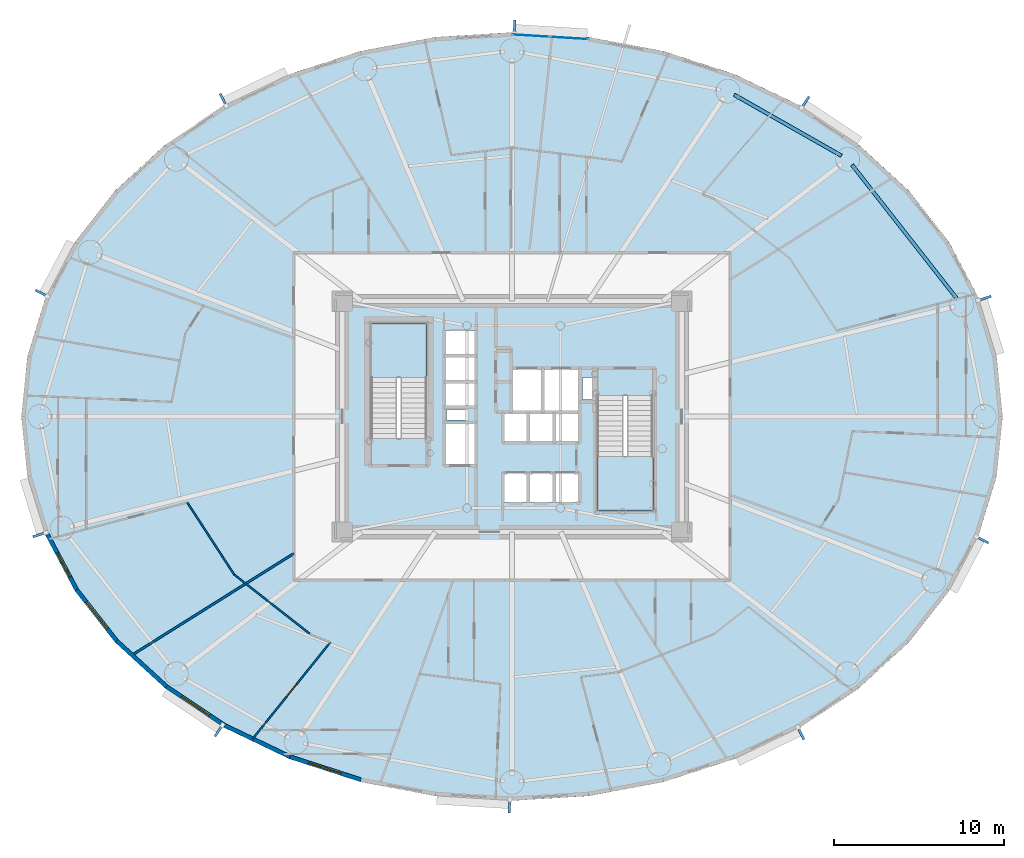
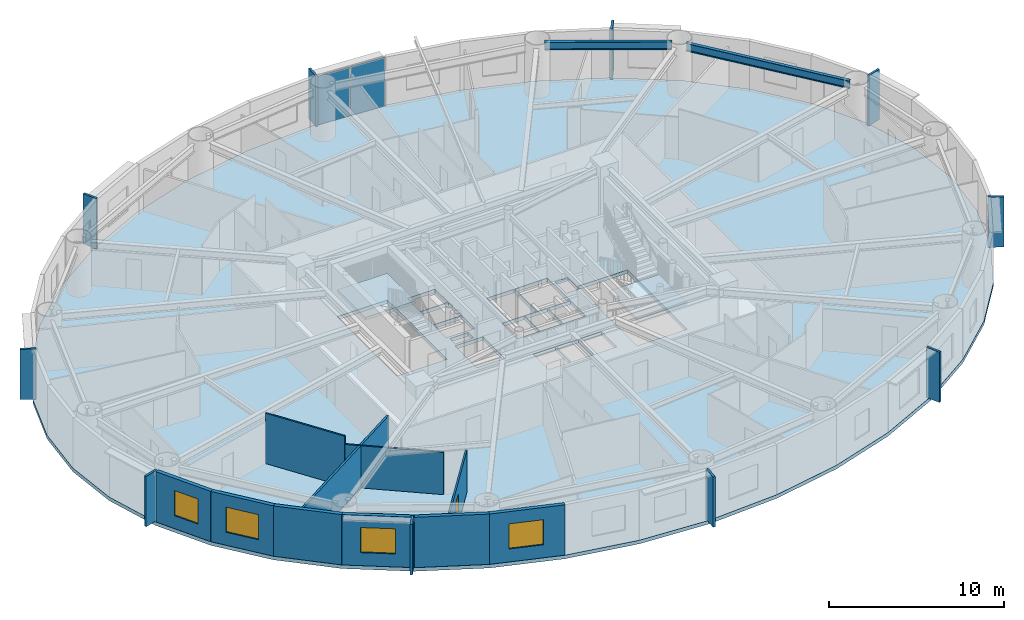
# One storey, part 7 of 18: 12 plates, 10 walls, 4 windows, 3 slabs, 2 beams, 1 door, 5 openings, 3 elements without a shape of their own.
"""IFC4 building model written with IfcOpenShell, lengths in metres."""

from ifc_helpers import new_model, si_unit, direction, frame, frame_2d, origin, origin_2d, place, context, subcontext, project, spatial, polyline, rectangle, i_section, outline, extrude, source, transform, mapped, material, layer, layer_set, material_profile, profile_set, type_object, element, fill, aggregate, save


model = new_model("IFC4")

# Units and contexts
model_context = context("Model", 3, precision=1e-05, world=origin(), true_north=direction((0.0, 1.0)))
body_context = subcontext(model_context, "Body", "Model", "MODEL_VIEW")
ifc_project = project(units=[si_unit("LENGTHUNIT", "METRE"), si_unit("AREAUNIT", "SQUARE_METRE"), si_unit("VOLUMEUNIT", "CUBIC_METRE"), si_unit("PLANEANGLEUNIT", "RADIAN"), si_unit("MASSUNIT", "GRAM", prefix="KILO")], contexts=[model_context])

# Site, building, storey
site_placement = place(None, origin())
site = spatial("IfcSite", under=ifc_project, at=site_placement, CompositionType="ELEMENT")
building_placement = place(site_placement, origin())
building = spatial("IfcBuilding", under=site, at=building_placement, Name="Linh Dai School and Residence Tower", CompositionType="ELEMENT")
storey_placement = place(building_placement, frame((0.0, 0.0, 123.449951171875)))
storey = spatial("IfcBuildingStorey", under=building, at=storey_placement, Name="L29", CompositionType="ELEMENT", Elevation=123.449951171875)

# Beams
ifc_material_1 = material(Name="Structural Steel S355JR", Category="steel")
ifc_material_profile = material_profile(ifc_material_1, i_section(OverallWidth=0.2099609375, OverallDepth=0.550048828125, WebThickness=0.010986328125, FlangeThickness=0.01708984375, FilletRadius=0.02392578125, at=origin_2d()), Name="IPE 550")
ifc_profile_set = profile_set([ifc_material_profile], Name="Structural Steel S355JR")
beam_type = type_object("IfcBeamType", Name="BM-RB55", PredefinedType="BEAM", material=ifc_profile_set)
beam_1_placement = place(storey_placement, frame((62.233642578125, 33.91162109375, 3.22509765625), z_axis=(-0.616854830973, 0.787076945098, 0.0), x_axis=(-0.787076945098, -0.616854830973, 0.0)))
element("IfcBeam", 1, at=beam_1_placement, inside=storey, type_object=beam_type, Name="L29 Perimeter Elliptical Ring Beam 02", PredefinedType="BEAM", context=body_context, shape_type="SweptSolid", body=[
    extrude(i_section(OverallWidth=0.2099609375, OverallDepth=0.550048828125, WebThickness=0.010986328125, FlangeThickness=0.01708984375, FilletRadius=0.02392578125, at=origin_2d()), origin(), (0.0, 0.0, 1.0), 10.053955078125),
])
beam_2_placement = place(storey_placement, frame((55.407470703125, 42.363037109375, 3.22509765625), z_axis=(-0.86927031475, 0.494337050902, 0.0), x_axis=(-0.494337050902, -0.86927031475, 0.0)))
element("IfcBeam", 2, at=beam_2_placement, inside=storey, type_object=beam_type, Name="L29 Perimeter Elliptical Ring Beam 03", PredefinedType="BEAM", context=body_context, shape_type="SweptSolid", body=[
    extrude(i_section(OverallWidth=0.2099609375, OverallDepth=0.550048828125, WebThickness=0.010986328125, FlangeThickness=0.01708984375, FilletRadius=0.02392578125, at=origin_2d()), origin(), (0.0, 0.0, 1.0), 7.270751953125),
])

# Slab
ifc_material_2 = material(Name="Concrete B45 (C35/45)", Category="concrete")
ifc_layer_1 = layer(ifc_material_2, 0.25)
ifc_layer_set_1 = layer_set([ifc_layer_1], Name="Concrete B45 (C35/45)")
slab_type_1 = type_object("IfcSlabType", Name="SLB-FLR250", PredefinedType="FLOOR", material=ifc_layer_set_1)
slab_1_placement = place(storey_placement, frame((0.0, 0.0, -0.25)))
element("IfcSlab", 3, at=slab_1_placement, inside=storey, type_object=slab_type_1, Name="L29 Composite Structural Floor Slab", PredefinedType="FLOOR", context=body_context, shape_type="SweptSolid", body=[
    extrude(outline(polyline([(64.89990234375, 27.0), (64.544189453125, 30.5400390625), (63.485595703125, 33.9931640625), (61.75, 37.27392578125), (59.380615234375, 40.301513671875), (56.435302734375, 43.001708984375), (52.987060546875, 45.30810546875), (49.120361328125, 47.16357421875), (44.9306640625, 48.5224609375), (40.52099609375, 49.351318359375), (36.0, 49.6298828125), (31.47900390625, 49.351318359375), (27.0693359375, 48.5224609375), (22.879638671875, 47.16357421875), (19.012939453125, 45.30810546875), (15.564697265625, 43.001708984375), (12.619384765625, 40.301513671875), (10.25, 37.27392578125), (8.514404296875, 33.9931640625), (7.455810546875, 30.5400390625), (7.10009765625, 27.0), (7.455810546875, 23.4599609375), (8.514404296875, 20.0068359375), (10.25, 16.72607421875), (12.619384765625, 13.698486328125), (15.564697265625, 10.998291015625), (19.012939453125, 8.69189453125), (22.879638671875, 6.83642578125), (27.0693359375, 5.4775390625), (31.47900390625, 4.648681640625), (36.0, 4.3701171875), (40.52099609375, 4.648681640625), (44.9306640625, 5.4775390625), (49.120361328125, 6.83642578125), (52.987060546875, 8.69189453125), (56.435302734375, 10.998291015625), (59.380615234375, 13.698486328125), (61.75, 16.72607421875), (63.485595703125, 20.0068359375), (64.544189453125, 23.4599609375), (64.89990234375, 27.0)]), holes=[polyline([(30.97998046875, 25.699951171875), (30.97998046875, 32.5), (27.679931640625, 32.5), (27.679931640625, 25.699951171875), (30.97998046875, 25.699951171875)]), polyline([(41.02001953125, 28.25), (41.02001953125, 21.449951171875), (44.320068359375, 21.449951171875), (44.320068359375, 28.25), (41.02001953125, 28.25)]), polyline([(35.97998046875, 27.280029296875), (37.77001953125, 27.280029296875), (37.77001953125, 29.820068359375), (35.97998046875, 29.820068359375), (35.97998046875, 27.280029296875)]), polyline([(32.030029296875, 24.1298828125), (33.8701171875, 24.1298828125), (33.8701171875, 26.6201171875), (32.030029296875, 26.6201171875), (32.030029296875, 24.1298828125)]), polyline([(37.830078125, 27.280029296875), (39.969970703125, 27.280029296875), (39.969970703125, 29.820068359375), (37.830078125, 29.820068359375), (37.830078125, 27.280029296875)]), polyline([(35.47998046875, 21.929931640625), (36.929931640625, 21.929931640625), (36.929931640625, 23.669921875), (35.47998046875, 23.669921875), (35.47998046875, 21.929931640625)]), polyline([(36.989990234375, 21.929931640625), (38.449951171875, 21.929931640625), (38.449951171875, 23.669921875), (36.989990234375, 23.669921875), (36.989990234375, 21.929931640625)]), polyline([(38.510009765625, 21.929931640625), (39.969970703125, 21.929931640625), (39.969970703125, 23.669921875), (38.510009765625, 23.669921875), (38.510009765625, 21.929931640625)]), polyline([(32.030029296875, 27.580078125), (33.8701171875, 27.580078125), (33.8701171875, 29.030029296875), (32.030029296875, 29.030029296875), (32.030029296875, 27.580078125)]), polyline([(32.030029296875, 29.090087890625), (33.8701171875, 29.090087890625), (33.8701171875, 30.550048828125), (32.030029296875, 30.550048828125), (32.030029296875, 29.090087890625)]), polyline([(32.030029296875, 30.610107421875), (33.8701171875, 30.610107421875), (33.8701171875, 32.070068359375), (32.030029296875, 32.070068359375), (32.030029296875, 30.610107421875)]), polyline([(35.47998046875, 25.47998046875), (36.929931640625, 25.47998046875), (36.929931640625, 27.219970703125), (35.47998046875, 27.219970703125), (35.47998046875, 25.47998046875)]), polyline([(36.989990234375, 25.47998046875), (38.449951171875, 25.47998046875), (38.449951171875, 27.219970703125), (36.989990234375, 27.219970703125), (36.989990234375, 25.47998046875)]), polyline([(38.510009765625, 25.47998046875), (39.969970703125, 25.47998046875), (39.969970703125, 27.219970703125), (38.510009765625, 27.219970703125), (38.510009765625, 25.47998046875)]), polyline([(40.14990234375, 28.0), (40.14990234375, 29.300048828125), (41.0, 29.300048828125), (41.0, 28.280029296875), (40.989990234375, 28.280029296875), (40.989990234375, 28.0), (40.14990234375, 28.0)]), polyline([(32.14990234375, 26.800048828125), (33.35009765625, 26.800048828125), (33.35009765625, 27.39990234375), (32.14990234375, 27.39990234375), (32.14990234375, 26.800048828125)])]), origin(), (0.0, 0.0, 1.0), 0.25),
])

# Stair, slab
stair_type = type_object("IfcStairType", Name="ST-DOG-1550-R1442", PredefinedType="HALF_TURN_STAIR", material=ifc_material_2)
stair_1_placement = place(storey_placement, origin())
stair_1 = element("IfcStair", 4, at=stair_1_placement, inside=storey, type_object=stair_type, Name="L29 Core Smokeproof Exit Stair ST1", PredefinedType="HALF_TURN_STAIR")
ifc_layer_2 = layer(ifc_material_2, 0.199951171875)
ifc_layer_set_2 = layer_set([ifc_layer_2], Name="Concrete B45 (C35/45)")
slab_type_2 = type_object("IfcSlabType", Name="SLB-ST-LANDING-200", PredefinedType="LANDING", material=ifc_layer_set_2)
slab_2_placement = place(storey_placement, frame((0.0, 0.0, 1.675048828125)))
slab_2 = element("IfcSlab", 5, at=slab_2_placement, type_object=slab_type_2, Name="ST1 landing 1", PredefinedType="LANDING", context=body_context, shape_type="SweptSolid", body=[
    extrude(outline(polyline([(30.97998046875, 29.300048828125), (30.97998046875, 32.5), (27.679931640625, 32.5), (27.679931640625, 29.300048828125), (30.97998046875, 29.300048828125)])), origin(), (0.0, 0.0, 1.0), 0.199951171875),
])
aggregate(stair_1, [slab_2])

stair_2_placement = place(storey_placement, origin())
stair_2 = element("IfcStair", 6, at=stair_2_placement, inside=storey, type_object=stair_type, Name="L29 Core Smokeproof Exit Stair ST2", PredefinedType="HALF_TURN_STAIR")
slab_3_placement = place(storey_placement, frame((0.0, 0.0, 1.675048828125)))
slab_3 = element("IfcSlab", 7, at=slab_3_placement, type_object=slab_type_2, Name="ST2 landing 1", PredefinedType="LANDING", context=body_context, shape_type="SweptSolid", body=[
    extrude(outline(polyline([(41.02001953125, 24.64990234375), (41.02001953125, 21.449951171875), (44.320068359375, 21.449951171875), (44.320068359375, 24.64990234375), (41.02001953125, 24.64990234375)])), origin(), (0.0, 0.0, 1.0), 0.199951171875),
])
aggregate(stair_2, [slab_3])

# Plates
ifc_material_3 = material(Name="Precast Concrete B45 (C35/45)", Category="concrete")
ifc_layer_3 = layer(ifc_material_3, 0.139892578125)
ifc_layer_set_3 = layer_set([ifc_layer_3], Name="Precast Concrete B45 (C35/45)")
plate_type_1 = type_object("IfcPlateType", Name="FIN-TC-900x140", PredefinedType="USERDEFINED", material=ifc_layer_set_3)
shared_shape_1 = source(origin(), body_context, "Body", "SweptSolid", [
    extrude(rectangle(XDim=0.89990234375, YDim=0.139892578125, at=origin_2d()), origin(), (0.0, 0.0, 1.0), 3.5),
])
for number, where, z_axis, x_axis, name in (
    (8, (63.79736328125, 33.95068359375, 0.0), (0.0, 0.0, 1.0), (0.956071511028, 0.293133528962, 0.0), "L29 Precast Terracotta Radial Fin 02"),
    (9, (53.2529296875, 45.473388671875, 0.0), (0.0, 0.0, 1.0), (0.555913198527, 0.831240347736, 0.0), "L29 Precast Terracotta Radial Fin 06"),
    (10, (36.14501953125, 49.90673828125, 0.0), (0.0, 0.0, 1.0), (0.061509255091, 0.998106513123, 0.0), "L29 Precast Terracotta Radial Fin 10"),
    (11, (19.005615234375, 45.620849609375, 0.0), (0.0, 0.0, 1.0), (-0.432617589064, 0.901577518371, 0.0), "L29 Precast Terracotta Radial Fin 14"),
    (12, (8.32373046875, 34.242919921875, 0.0), (0.0, 0.0, 1.0), (-0.883942180016, 0.467596217252, 0.0), "L29 Precast Terracotta Radial Fin 18"),
    (13, (8.20263671875, 20.04931640625, 0.0), (0.0, 0.0, 1.0), (-0.956071511028, -0.293133528962, 0.0), "L29 Precast Terracotta Radial Fin 22"),
    (14, (18.7470703125, 8.526611328125, 0.0), (0.0, 0.0, 1.0), (-0.555913198527, -0.831240347736, 0.0), "L29 Precast Terracotta Radial Fin 26"),
    (15, (35.85498046875, 4.09326171875, 0.0), (0.0, 0.0, 1.0), (-0.061509255091, -0.998106513123, 0.0), "L29 Precast Terracotta Radial Fin 30"),
    (16, (52.994384765625, 8.379150390625, 0.0), (0.0, 0.0, 1.0), (0.432617589064, -0.901577518371, 0.0), "L29 Precast Terracotta Radial Fin 34"),
    (17, (63.67626953125, 19.757080078125, 0.0), (0.0, 0.0, 1.0), (0.883942180016, -0.467596217252, 0.0), "L29 Precast Terracotta Radial Fin 38"),
):
    element("IfcPlate", number, at=place(storey_placement, frame(where, z_axis=z_axis, x_axis=x_axis)), inside=storey, type_object=plate_type_1, Name=name, ObjectType="RADIAL FIN", PredefinedType="USERDEFINED", context=body_context, shape_type="MappedRepresentation", body=[
        mapped(shared_shape_1, transform((0.0, 0.0, 0.0), x_axis=(1.0, 0.0, 0.0), y_axis=(0.0, 1.0, 0.0), z_axis=(0.0, 0.0, 1.0), scale=1.0)),
    ])

# Curtain wall, plates
ifc_material_4 = material(Name="Aluminium Anodised Curtain Wall", Category="aluminium")
ifc_layer_4 = layer(ifc_material_4, 0.14990234375)
ifc_layer_set_4 = layer_set([ifc_layer_4], Name="Aluminium Anodised Curtain Wall")
curtain_wall_type = type_object("IfcCurtainWallType", Name="CW-SYS-4", PredefinedType="USERDEFINED", material=ifc_layer_set_4)
curtain_wall_placement = place(storey_placement, origin())
curtain_wall = element("IfcCurtainWall", 18, at=curtain_wall_placement, inside=storey, type_object=curtain_wall_type, Name="L29 CW4 Curtain Wall 10", ObjectType="RIBBON CURTAIN WALL", PredefinedType="USERDEFINED")
ifc_material_5 = material(Name="Double Low-E Insulated Glazing", Category="glass")
ifc_layer_5 = layer(ifc_material_5, 0.02587890625)
ifc_layer_set_5 = layer_set([ifc_layer_5], Name="Double Low-E Insulated Glazing")
plate_type_2 = type_object("IfcPlateType", Name="CW-SYS-4-PAN", PredefinedType="CURTAIN_PANEL", material=ifc_layer_set_5)
shared_shape_2 = source(origin(), body_context, "Body", "SweptSolid", [
    extrude(rectangle(XDim=2.178955078125, YDim=0.02587890625, at=origin_2d()), origin(), (0.0, 0.0, 1.0), 3.39599609375),
])
plate_1_placement = place(storey_placement, frame((37.139404296875, 49.434814453125, 0.052001953125), z_axis=(0.0, 0.0, 1.0), x_axis=(0.998106513123, -0.061509255091, 0.0)))
plate_1 = element("IfcPlate", 19, at=plate_1_placement, type_object=plate_type_2, Name="CW4 panel 1.1", PredefinedType="CURTAIN_PANEL", context=body_context, shape_type="MappedRepresentation", body=[
    mapped(shared_shape_2, transform((0.0, 0.0, 0.0), x_axis=(1.0, 0.0, 0.0), y_axis=(0.0, 1.0, 0.0), z_axis=(0.0, 0.0, 1.0), scale=1.0)),
])
plate_2_placement = place(storey_placement, frame((39.3662109375, 49.297607421875, 0.052001953125), z_axis=(0.0, 0.0, 1.0), x_axis=(0.998106513123, -0.061509255091, 0.0)))
plate_2 = element("IfcPlate", 20, at=plate_2_placement, type_object=plate_type_2, Name="CW4 panel 2.1", PredefinedType="CURTAIN_PANEL", context=body_context, shape_type="MappedRepresentation", body=[
    mapped(shared_shape_2, transform((0.0, 0.0, 0.0), x_axis=(1.0, 0.0, 0.0), y_axis=(0.0, 1.0, 0.0), z_axis=(0.0, 0.0, 1.0), scale=1.0)),
])
aggregate(curtain_wall, [plate_1, plate_2])

# Wall, opening, window
ifc_layer_6 = layer(ifc_material_3, 0.239990234375)
ifc_layer_set_6 = layer_set([ifc_layer_6], Name="Precast Concrete B45 (C35/45)")
wall_type_1 = type_object("IfcWallType", Name="EW-TC-240", PredefinedType="SOLIDWALL", material=ifc_layer_set_6)
wall_1_placement = place(storey_placement, frame((10.354736328125, 16.79443359375, 0.0), z_axis=(0.0, 0.0, 1.0), x_axis=(-0.467614004126, 0.883932770716, 0.0)))
wall_1 = element("IfcWall", 21, at=wall_1_placement, inside=storey, type_object=wall_type_1, Name="L29 Terracotta Exterior Wall 23", PredefinedType="SOLIDWALL", context=body_context, shape_type="SweptSolid", body=[
    extrude(rectangle(XDim=3.688720703125, YDim=0.239990234375, at=frame_2d((1.84423828125, 0.0))), origin(), (0.0, 0.0, 1.0), 3.5),
])
opening_1_placement = place(wall_1_placement, frame((0.845947265625, 0.0, 0.89990234375)))
opening_1 = element("IfcOpeningElement", 22, at=opening_1_placement, cuts=wall_1, Name="Opening W2", PredefinedType="OPENING", context=body_context, shape_type="SweptSolid", body=[
    extrude(rectangle(XDim=1.60009765625, YDim=1.75, at=origin_2d()), frame((0.800048828125, 0.1298828125, 0.875), z_axis=(0.0, -1.0, 0.0), x_axis=(1.0, 0.0, 0.0)), (0.0, 0.0, 1.0), 0.260009765625),
])
window_type_1 = type_object("IfcWindowType", Name="WN-RES-1600x1750", PartitioningType="DOUBLE_PANEL_VERTICAL", PredefinedType="WINDOW", material=ifc_material_5)
shared_shape_3 = source(origin(), body_context, "Body", "SweptSolid", [
    extrude(rectangle(XDim=1.60009765625, YDim=1.75, at=origin_2d()), frame((0.800048828125, 0.030029296875, 0.875), z_axis=(0.0, -1.0, 0.0), x_axis=(1.0, 0.0, 0.0)), (0.0, 0.0, 1.0), 0.06005859375),
])
window_1_placement = place(opening_1_placement, origin())
window_1 = element("IfcWindow", 23, at=window_1_placement, inside=storey, type_object=window_type_1, Name="L29 Exterior Window 23.1", OverallHeight=1.75, OverallWidth=1.60009765625, PartitioningType="DOUBLE_PANEL_VERTICAL", PredefinedType="WINDOW", context=body_context, shape_type="MappedRepresentation", body=[
    mapped(shared_shape_3, transform((0.0, 0.0, 0.0), x_axis=(1.0, 0.0, 0.0), y_axis=(0.0, 1.0, 0.0), z_axis=(0.0, 0.0, 1.0), scale=1.0)),
])
fill(opening_1, window_1)

wall_2_placement = place(storey_placement, frame((12.7109375, 13.783447265625, 0.0), z_axis=(0.0, 0.0, 1.0), x_axis=(-0.616272103517, 0.787533297345, 0.0)))
wall_2 = element("IfcWall", 24, at=wall_2_placement, inside=storey, type_object=wall_type_1, Name="L29 Terracotta Exterior Wall 24", PredefinedType="SOLIDWALL", context=body_context, shape_type="SweptSolid", body=[
    extrude(rectangle(XDim=3.8232421875, YDim=0.239990234375, at=frame_2d((1.91162109375, 0.0))), origin(), (0.0, 0.0, 1.0), 3.5),
])
opening_2_placement = place(wall_2_placement, frame((0.91162109375, 0.0, 0.89990234375)))
opening_2 = element("IfcOpeningElement", 25, at=opening_2_placement, cuts=wall_2, Name="Opening W1", PredefinedType="OPENING", context=body_context, shape_type="SweptSolid", body=[
    extrude(rectangle(XDim=2.0, YDim=1.75, at=origin_2d()), frame((1.0, 0.1298828125, 0.875), z_axis=(0.0, -1.0, 0.0), x_axis=(1.0, 0.0, 0.0)), (0.0, 0.0, 1.0), 0.260009765625),
])
window_type_2 = type_object("IfcWindowType", Name="WN-RES-2000x1750", PartitioningType="DOUBLE_PANEL_VERTICAL", PredefinedType="WINDOW", material=ifc_material_5)
shared_shape_4 = source(origin(), body_context, "Body", "SweptSolid", [
    extrude(rectangle(XDim=2.0, YDim=1.75, at=origin_2d()), frame((1.0, 0.030029296875, 0.875), z_axis=(0.0, -1.0, 0.0), x_axis=(1.0, 0.0, 0.0)), (0.0, 0.0, 1.0), 0.06005859375),
])
window_2_placement = place(opening_2_placement, origin())
window_2 = element("IfcWindow", 26, at=window_2_placement, inside=storey, type_object=window_type_2, Name="L29 Exterior Window 24.1", OverallHeight=1.75, OverallWidth=2.0, PartitioningType="DOUBLE_PANEL_VERTICAL", PredefinedType="WINDOW", context=body_context, shape_type="MappedRepresentation", body=[
    mapped(shared_shape_4, transform((0.0, 0.0, 0.0), x_axis=(1.0, 0.0, 0.0), y_axis=(0.0, 1.0, 0.0), z_axis=(0.0, 0.0, 1.0), scale=1.0)),
])
fill(opening_2, window_2)

# Wall
wall_3_placement = place(storey_placement, frame((15.6416015625, 11.0966796875, 0.0), z_axis=(0.0, 0.0, 1.0), x_axis=(-0.737113356241, 0.675769117414, 0.0)))
element("IfcWall", 27, at=wall_3_placement, inside=storey, type_object=wall_type_1, Name="L29 Terracotta Exterior Wall 25", PredefinedType="SOLIDWALL", context=body_context, shape_type="SweptSolid", body=[
    extrude(rectangle(XDim=3.975830078125, YDim=0.239990234375, at=frame_2d((1.98779296875, 0.0))), origin(), (0.0, 0.0, 1.0), 3.5),
])

# Wall, opening, window
wall_4_placement = place(storey_placement, frame((19.07470703125, 8.800537109375, 0.0), z_axis=(0.0, 0.0, 1.0), x_axis=(-0.831221811447, 0.555940914284, 0.0)))
wall_4 = element("IfcWall", 28, at=wall_4_placement, inside=storey, type_object=wall_type_1, Name="L29 Terracotta Exterior Wall 26", PredefinedType="SOLIDWALL", context=body_context, shape_type="SweptSolid", body=[
    extrude(rectangle(XDim=4.130126953125, YDim=0.239990234375, at=frame_2d((2.06494140625, 0.0))), origin(), (0.0, 0.0, 1.0), 3.5),
])
opening_3_placement = place(wall_4_placement, frame((1.06494140625, 0.0, 0.89990234375)))
opening_3 = element("IfcOpeningElement", 29, at=opening_3_placement, cuts=wall_4, Name="Opening W1", PredefinedType="OPENING", context=body_context, shape_type="SweptSolid", body=[
    extrude(rectangle(XDim=2.0, YDim=1.75, at=origin_2d()), frame((1.0, 0.1298828125, 0.875), z_axis=(0.0, -1.0, 0.0), x_axis=(1.0, 0.0, 0.0)), (0.0, 0.0, 1.0), 0.260009765625),
])
window_3_placement = place(opening_3_placement, origin())
window_3 = element("IfcWindow", 30, at=window_3_placement, inside=storey, type_object=window_type_2, Name="L29 Exterior Window 26.1", OverallHeight=1.75, OverallWidth=2.0, PartitioningType="DOUBLE_PANEL_VERTICAL", PredefinedType="WINDOW", context=body_context, shape_type="MappedRepresentation", body=[
    mapped(shared_shape_4, transform((0.0, 0.0, 0.0), x_axis=(1.0, 0.0, 0.0), y_axis=(0.0, 1.0, 0.0), z_axis=(0.0, 0.0, 1.0), scale=1.0)),
])
fill(opening_3, window_3)

# Wall
wall_5_placement = place(storey_placement, frame((22.926025390625, 6.95263671875, 0.0), z_axis=(0.0, 0.0, 1.0), x_axis=(-0.901589935876, 0.432591709962, 0.0)))
element("IfcWall", 31, at=wall_5_placement, inside=storey, type_object=wall_type_1, Name="L29 Terracotta Exterior Wall 27", PredefinedType="SOLIDWALL", context=body_context, shape_type="SweptSolid", body=[
    extrude(rectangle(XDim=4.271728515625, YDim=0.239990234375, at=frame_2d((2.1357421875, 0.0))), origin(), (0.0, 0.0, 1.0), 3.5),
])

# Wall, opening, window
wall_6_placement = place(storey_placement, frame((27.100341796875, 5.5986328125, 0.0), z_axis=(0.0, 0.0, 1.0), x_axis=(-0.951211346073, 0.308540070495, 0.0)))
wall_6 = element("IfcWall", 32, at=wall_6_placement, inside=storey, type_object=wall_type_1, Name="L29 Terracotta Exterior Wall 28", PredefinedType="SOLIDWALL", context=body_context, shape_type="SweptSolid", body=[
    extrude(rectangle(XDim=4.388427734375, YDim=0.239990234375, at=frame_2d((2.1943359375, 0.0))), origin(), (0.0, 0.0, 1.0), 3.5),
])
opening_4_placement = place(wall_6_placement, frame((1.248291015625, 0.0, 0.89990234375)))
opening_4 = element("IfcOpeningElement", 33, at=opening_4_placement, cuts=wall_6, Name="Opening W1", PredefinedType="OPENING", context=body_context, shape_type="SweptSolid", body=[
    extrude(rectangle(XDim=2.0, YDim=1.75, at=origin_2d()), frame((1.0, 0.1298828125, 0.875), z_axis=(0.0, -1.0, 0.0), x_axis=(1.0, 0.0, 0.0)), (0.0, 0.0, 1.0), 0.260009765625),
])
window_4_placement = place(opening_4_placement, origin())
window_4 = element("IfcWindow", 34, at=window_4_placement, inside=storey, type_object=window_type_2, Name="L29 Exterior Window 28.1", OverallHeight=1.75, OverallWidth=2.0, PartitioningType="DOUBLE_PANEL_VERTICAL", PredefinedType="WINDOW", context=body_context, shape_type="MappedRepresentation", body=[
    mapped(shared_shape_4, transform((0.0, 0.0, 0.0), x_axis=(1.0, 0.0, 0.0), y_axis=(0.0, 1.0, 0.0), z_axis=(0.0, 0.0, 1.0), scale=1.0)),
])
fill(opening_4, window_4)

# Walls
ifc_material_6 = material(Name="Autoclaved Aerated Concrete Blockwork", Category="masonry")
ifc_layer_7 = layer(ifc_material_6, 0.135009765625)
ifc_layer_set_7 = layer_set([ifc_layer_7], Name="Autoclaved Aerated Concrete Blockwork")
wall_type_2 = type_object("IfcWallType", Name="IW-CORR-135-EI90", PredefinedType="PARTITIONING", material=ifc_layer_set_7)
wall_7_placement = place(storey_placement, frame((13.61474609375, 12.9482421875, 0.0), z_axis=(0.0, 0.0, 1.0), x_axis=(0.846963568038, 0.531650932866, 0.0)))
element("IfcWall", 35, at=wall_7_placement, inside=storey, type_object=wall_type_2, Name="L29 Interior Partition Wall 007", PredefinedType="PARTITIONING", context=body_context, shape_type="SweptSolid", body=[
    extrude(rectangle(XDim=11.258056640625, YDim=0.135009765625, at=frame_2d((5.62890625, 0.0))), origin(), (0.0, 0.0, 1.0), 2.93505859375),
])
ifc_material_7 = material(Name="Gypsum Plasterboard Acoustic Stud Partition", Category="masonry")
ifc_layer_8 = layer(ifc_material_7, 0.10009765625)
ifc_layer_set_8 = layer_set([ifc_layer_8], Name="Gypsum Plasterboard Acoustic Stud Partition")
wall_type_3 = type_object("IfcWallType", Name="IW-UNIT-100", PredefinedType="PARTITIONING", material=ifc_layer_set_8)
wall_8_placement = place(storey_placement, frame((16.869384765625, 21.93701171875, 0.0), z_axis=(0.0, 0.0, 1.0), x_axis=(0.545394651961, -0.838179380331, 0.0)))
element("IfcWall", 36, at=wall_8_placement, inside=storey, type_object=wall_type_3, Name="L29 Interior Partition Wall 011", PredefinedType="PARTITIONING", context=body_context, shape_type="SweptSolid", body=[
    extrude(rectangle(XDim=5.068115234375, YDim=0.10009765625, at=frame_2d((2.5341796875, 0.0))), origin(), (0.0, 0.0, 1.0), 3.5),
])
wall_9_placement = place(storey_placement, frame((19.633544921875, 17.68896484375, 0.0), z_axis=(0.0, 0.0, 1.0), x_axis=(0.787333679705, -0.616527109544, 0.0)))
element("IfcWall", 37, at=wall_9_placement, inside=storey, type_object=wall_type_3, Name="L29 Interior Partition Wall 012", PredefinedType="PARTITIONING", context=body_context, shape_type="SweptSolid", body=[
    extrude(rectangle(XDim=5.6845703125, YDim=0.10009765625, at=frame_2d((2.84228515625, 0.0))), origin(), (0.0, 0.0, 1.0), 2.93505859375),
])

# Wall, opening, door
wall_10_placement = place(storey_placement, frame((20.716552734375, 8.00732421875, 0.0), z_axis=(0.0, 0.0, 1.0), x_axis=(0.626926430663, 0.779078462375, 0.0)))
wall_10 = element("IfcWall", 38, at=wall_10_placement, inside=storey, type_object=wall_type_3, Name="L29 Interior Partition Wall 013", PredefinedType="PARTITIONING", context=body_context, shape_type="SweptSolid", body=[
    extrude(rectangle(XDim=7.31689453125, YDim=0.10009765625, at=frame_2d((3.658447265625, 0.0))), origin(), (0.0, 0.0, 1.0), 2.93505859375),
])
opening_5_placement = place(wall_10_placement, frame((3.20849609375, 0.0, 0.0)))
opening_5 = element("IfcOpeningElement", 39, at=opening_5_placement, cuts=wall_10, Name="Opening D05", PredefinedType="OPENING", context=body_context, shape_type="SweptSolid", body=[
    extrude(rectangle(XDim=0.89990234375, YDim=2.10009765625, at=origin_2d()), frame((0.449951171875, 0.06005859375, 1.050048828125), z_axis=(0.0, -1.0, 0.0), x_axis=(1.0, 0.0, 0.0)), (0.0, 0.0, 1.0), 0.1201171875),
])
ifc_material_8 = material(Name="Engineered Timber Internal Door", Category="wood")
door_type = type_object("IfcDoorType", Name="DR-INT-900x2100", OperationType="NOTDEFINED", PredefinedType="DOOR", material=ifc_material_8)
shared_shape_5 = source(origin(), body_context, "Body", "SweptSolid", [
    extrude(rectangle(XDim=0.89990234375, YDim=2.10009765625, at=origin_2d()), frame((0.449951171875, 0.02490234375, 1.050048828125), z_axis=(0.0, -1.0, 0.0), x_axis=(1.0, 0.0, 0.0)), (0.0, 0.0, 1.0), 0.050048828125),
])
door_placement = place(opening_5_placement, origin())
door = element("IfcDoor", 40, at=door_placement, inside=storey, type_object=door_type, Name="L29 Apartment U2904 Principal Bedroom 1 Door", OperationType="SINGLE_SWING_RIGHT", OverallHeight=2.10009765625, OverallWidth=0.89990234375, PredefinedType="DOOR", context=body_context, shape_type="MappedRepresentation", body=[
    mapped(shared_shape_5, transform((0.0, 0.0, 0.0), x_axis=(1.0, 0.0, 0.0), y_axis=(0.0, 1.0, 0.0), z_axis=(0.0, 0.0, 1.0), scale=1.0)),
])
fill(opening_5, door)

save(model, "model.ifc")
